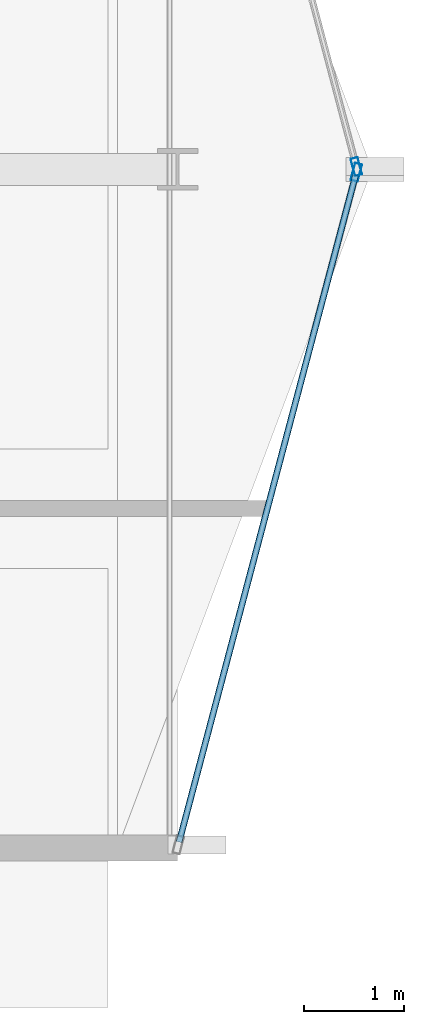
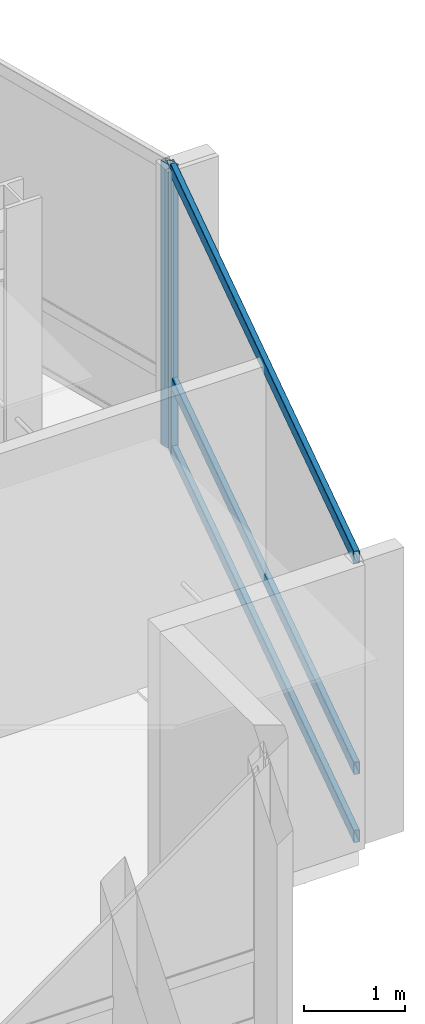
# One storey, part 11 of 27: 5 members, 2 elements without a shape of their own.
"""IFC4 building model written with IfcOpenShell, lengths in metres."""

from ifc_helpers import new_model, si_unit, direction, frame, origin, origin_2d, place, context, subcontext, project, spatial, hollow_rectangle, extrude, material, layer, layer_set, material_profile, profile_set, type_object, element, aggregate, save


model = new_model("IFC4")

# Units and contexts
model_context = context("Model", 3, precision=1e-05, world=origin(), true_north=direction((0.0, 1.0)))
body_context = subcontext(model_context, "Body", "Model", "MODEL_VIEW")
ifc_project = project(units=[si_unit("LENGTHUNIT", "METRE"), si_unit("AREAUNIT", "SQUARE_METRE"), si_unit("VOLUMEUNIT", "CUBIC_METRE"), si_unit("PLANEANGLEUNIT", "RADIAN"), si_unit("MASSUNIT", "GRAM", prefix="KILO")], contexts=[model_context])

# Site, building, storey
site_placement = place(None, origin())
site = spatial("IfcSite", under=ifc_project, at=site_placement, CompositionType="ELEMENT")
building_placement = place(site_placement, origin())
building = spatial("IfcBuilding", under=site, at=building_placement, Name="Solvaryn Broadcast Tower", CompositionType="ELEMENT")
storey_placement = place(building_placement, frame((0.0, 0.0, 189.0)))
storey = spatial("IfcBuildingStorey", under=building, at=storey_placement, Name="L47", CompositionType="ELEMENT", Elevation=189.0)

# Curtain wall, member
ifc_material_1 = material(Name="Aluminium and Terracotta Unitised Curtain Wall", Category="masonry")
ifc_layer = layer(ifc_material_1, 0.199951171875)
ifc_layer_set = layer_set([ifc_layer], Name="CW-SYS2-LOWMID")
curtain_wall_type = type_object("IfcCurtainWallType", Name="CW-SYS2-LOWMID", PredefinedType="NOTDEFINED", material=ifc_layer_set)
curtain_wall_1_placement = place(storey_placement, origin())
curtain_wall_1 = element("IfcCurtainWall", 1, at=curtain_wall_1_placement, inside=storey, type_object=curtain_wall_type, Name="L47 Curtain Wall ET1", PredefinedType="NOTDEFINED")
ifc_material_2 = material(Name="Anodised Aluminium 6063-T6", Category="aluminium")
ifc_material_profile_1 = material_profile(ifc_material_2, hollow_rectangle(XDim=0.074951171875, YDim=0.179931640625, WallThickness=0.00390625, InnerFilletRadius=0.00390625, OuterFilletRadius=0.008056640625, at=origin_2d()))
ifc_profile_set_1 = profile_set([ifc_material_profile_1], Name="Anodised Aluminium 6063-T6")
member_type_1 = type_object("IfcMemberType", Name="CW-MUL-180", PredefinedType="MULLION", material=ifc_profile_set_1)
member_1_placement = place(storey_placement, frame((55.792236328125, 18.029052734375, 0.0), z_axis=(0.0, 0.0, 1.0), x_axis=(0.966705227863, 0.25589256031, 0.0)))
member_1 = element("IfcMember", 2, at=member_1_placement, type_object=member_type_1, Name="CWS2 mullion 2", PredefinedType="MULLION", context=body_context, shape_type="SweptSolid", body=[
    extrude(hollow_rectangle(XDim=0.074951171875, YDim=0.179931640625, WallThickness=0.00390625, InnerFilletRadius=0.00390625, OuterFilletRadius=0.008056640625, at=origin_2d()), origin(), (0.0, 0.0, 1.0), 3.419921875),
])
aggregate(curtain_wall_1, [member_1])

# Curtain wall, members
curtain_wall_2_placement = place(storey_placement, origin())
curtain_wall_2 = element("IfcCurtainWall", 3, at=curtain_wall_2_placement, inside=storey, type_object=curtain_wall_type, Name="L47 Curtain Wall ET2", PredefinedType="NOTDEFINED")
member_2_placement = place(storey_placement, frame((55.792236328125, 17.970947265625, 0.0), z_axis=(0.0, 0.0, 1.0), x_axis=(0.966705227863, -0.25589256031, 0.0)))
member_2 = element("IfcMember", 4, at=member_2_placement, type_object=member_type_1, Name="CWS2 mullion 1", PredefinedType="MULLION", context=body_context, shape_type="SweptSolid", body=[
    extrude(hollow_rectangle(XDim=0.074951171875, YDim=0.179931640625, WallThickness=0.00390625, InnerFilletRadius=0.00390625, OuterFilletRadius=0.008056640625, at=origin_2d()), origin(), (0.0, 0.0, 1.0), 3.419921875),
])
ifc_material_3 = material(Name="Anodised Aluminium 6063-T6", Category="aluminium")
ifc_material_profile_2 = material_profile(ifc_material_3, hollow_rectangle(XDim=0.06494140625, YDim=0.14990234375, WallThickness=0.00390625, InnerFilletRadius=0.00390625, OuterFilletRadius=0.008056640625, at=origin_2d()))
ifc_profile_set_2 = profile_set([ifc_material_profile_2], Name="Anodised Aluminium 6063-T6")
member_type_2 = type_object("IfcMemberType", Name="CW-TRN-150", PredefinedType="USERDEFINED", material=ifc_profile_set_2)
member_3_placement = place(storey_placement, frame((55.78466796875, 17.94189453125, 0.030029296875), z_axis=(-0.255897413051, -0.966703943301, 0.0), x_axis=(0.966703943301, -0.255897413051, 0.0)))
member_3 = element("IfcMember", 5, at=member_3_placement, type_object=member_type_2, Name="CWS2 transom 1.1", ObjectType="TRANSOM", PredefinedType="USERDEFINED", context=body_context, shape_type="SweptSolid", body=[
    extrude(hollow_rectangle(XDim=0.06494140625, YDim=0.14990234375, WallThickness=0.00390625, InnerFilletRadius=0.00390625, OuterFilletRadius=0.008056640625, at=origin_2d()), origin(), (0.0, 0.0, 1.0), 6.9140625),
])
member_4_placement = place(storey_placement, frame((55.78466796875, 17.94189453125, 0.85009765625), z_axis=(-0.255897413051, -0.966703943301, 0.0), x_axis=(0.966703943301, -0.255897413051, 0.0)))
member_4 = element("IfcMember", 6, at=member_4_placement, type_object=member_type_2, Name="CWS2 transom 1.2", ObjectType="TRANSOM", PredefinedType="USERDEFINED", context=body_context, shape_type="SweptSolid", body=[
    extrude(hollow_rectangle(XDim=0.06494140625, YDim=0.14990234375, WallThickness=0.00390625, InnerFilletRadius=0.00390625, OuterFilletRadius=0.008056640625, at=origin_2d()), origin(), (0.0, 0.0, 1.0), 6.9140625),
])
member_5_placement = place(storey_placement, frame((55.78466796875, 17.94189453125, 3.389892578125), z_axis=(-0.255897413051, -0.966703943301, 0.0), x_axis=(0.966703943301, -0.255897413051, 0.0)))
member_5 = element("IfcMember", 7, at=member_5_placement, type_object=member_type_2, Name="CWS2 transom 1.3", ObjectType="TRANSOM", PredefinedType="USERDEFINED", context=body_context, shape_type="SweptSolid", body=[
    extrude(hollow_rectangle(XDim=0.06494140625, YDim=0.14990234375, WallThickness=0.00390625, InnerFilletRadius=0.00390625, OuterFilletRadius=0.008056640625, at=origin_2d()), origin(), (0.0, 0.0, 1.0), 6.9140625),
])
aggregate(curtain_wall_2, [member_2, member_3, member_4, member_5])

save(model, "model.ifc")
